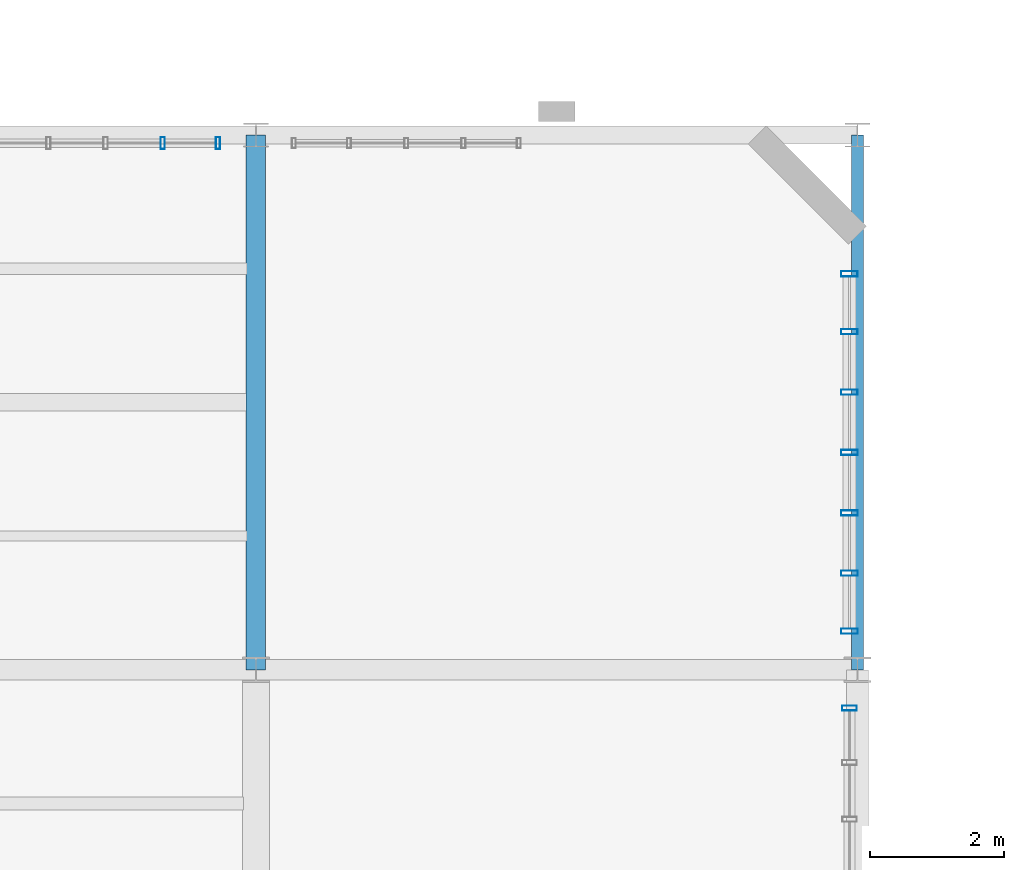
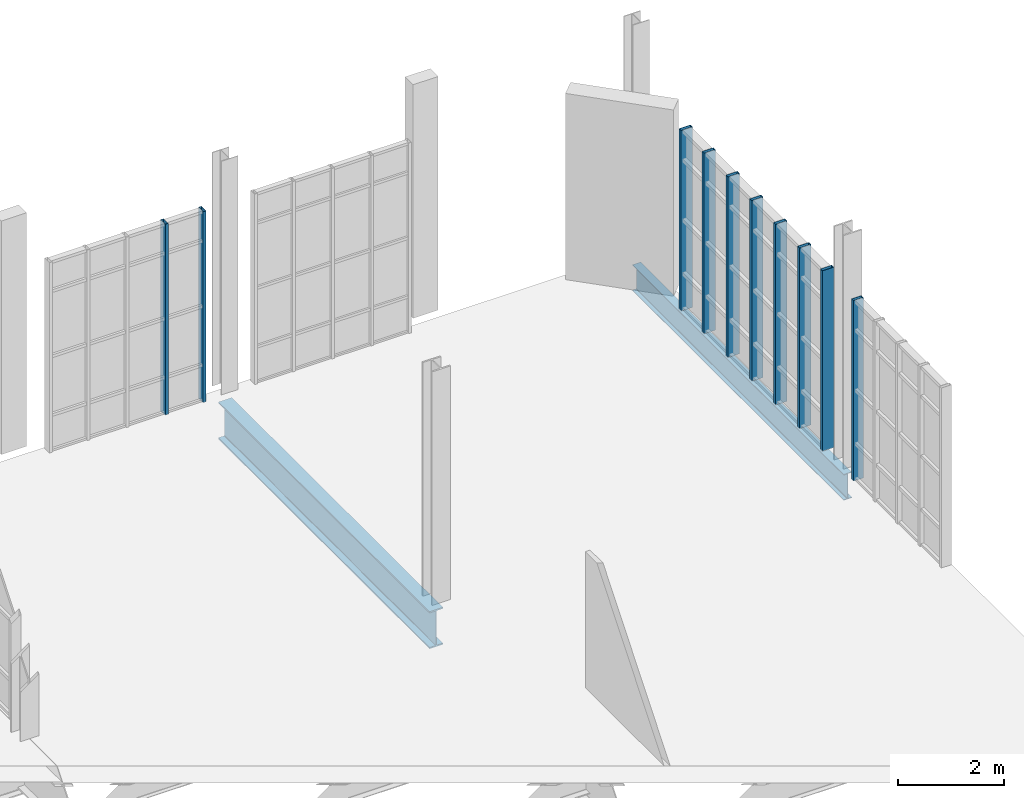
# One storey, part 101 of 189: 10 members, 2 beams, 3 elements without a shape of their own.
"""IFC4 building model written with IfcOpenShell, lengths in metres."""

from ifc_helpers import new_model, si_unit, direction, frame, origin, origin_2d, place, context, subcontext, project, spatial, hollow_rectangle, i_section, extrude, material, layer, layer_set, material_profile, profile_set, type_object, element, aggregate, save


model = new_model("IFC4")

# Units and contexts
model_context = context("Model", 3, precision=1e-05, world=origin(), true_north=direction((0.0, 1.0)))
body_context = subcontext(model_context, "Body", "Model", "MODEL_VIEW")
ifc_project = project(units=[si_unit("LENGTHUNIT", "METRE"), si_unit("AREAUNIT", "SQUARE_METRE"), si_unit("VOLUMEUNIT", "CUBIC_METRE"), si_unit("PLANEANGLEUNIT", "RADIAN"), si_unit("MASSUNIT", "GRAM", prefix="KILO"), si_unit("THERMODYNAMICTEMPERATUREUNIT", "KELVIN"), si_unit("POWERUNIT", "WATT")], contexts=[model_context])

# Site, building, storey
site_placement = place(None, origin())
site = spatial("IfcSite", under=ifc_project, at=site_placement, CompositionType="ELEMENT")
building_placement = place(site_placement, origin())
building = spatial("IfcBuilding", under=site, at=building_placement, Name="Zelmaris Science Centre", CompositionType="ELEMENT")
storey_placement = place(building_placement, origin())
storey = spatial("IfcBuildingStorey", under=building, at=storey_placement, Name="L00", CompositionType="ELEMENT", Elevation=0.0)

# Curtain wall, members
ifc_material_1 = material(Name="Anodised architectural aluminium 6063-T6", Category="aluminium")
ifc_layer_1 = layer(ifc_material_1, 0.2099609375, Name="Anodised architectural aluminium 6063-T6")
ifc_layer_set_1 = layer_set([ifc_layer_1], Name="Anodised architectural aluminium 6063-T6")
curtain_wall_type_1 = type_object("IfcCurtainWallType", Name="Curtain Wall CW-03", PredefinedType="USERDEFINED", material=ifc_layer_set_1)
curtain_wall_1_placement = place(storey_placement, origin())
curtain_wall_1 = element("IfcCurtainWall", 1, at=curtain_wall_1_placement, inside=storey, type_object=curtain_wall_type_1, Name="L00 Unitised curtain wall 83", ObjectType="GLAZED CURTAIN WALL", PredefinedType="USERDEFINED")
ifc_material_profile_1 = material_profile(ifc_material_1, hollow_rectangle(XDim=0.06494140625, YDim=0.179931640625, WallThickness=0.00390625, at=origin_2d()), Name="ALU-MUL-65X180")
ifc_profile_set_1 = profile_set([ifc_material_profile_1], Name="Anodised architectural aluminium 6063-T6")
member_type_1 = type_object("IfcMemberType", Name="ALU-MUL-65X180", PredefinedType="MULLION", material=ifc_profile_set_1)
member_1_placement = place(storey_placement, frame((97.60498046875, 87.8798828125, -0.014892578125), z_axis=(0.0, 0.0, 1.0), x_axis=(1.0, 0.0, 0.0)))
member_1 = element("IfcMember", 2, at=member_1_placement, type_object=member_type_1, Name="CW-03 mullion 4", PredefinedType="MULLION", context=body_context, shape_type="SweptSolid", body=[
    extrude(hollow_rectangle(XDim=0.06494140625, YDim=0.179931640625, WallThickness=0.00390625, at=origin_2d()), origin(), (0.0, 0.0, 1.0), 4.4169921875),
])
member_2_placement = place(storey_placement, frame((98.431396484375, 87.8798828125, -0.014892578125), z_axis=(0.0, 0.0, 1.0), x_axis=(1.0, 0.0, 0.0)))
member_2 = element("IfcMember", 3, at=member_2_placement, type_object=member_type_1, Name="CW-03 mullion 5", PredefinedType="MULLION", context=body_context, shape_type="SweptSolid", body=[
    extrude(hollow_rectangle(XDim=0.06494140625, YDim=0.179931640625, WallThickness=0.00390625, at=origin_2d()), origin(), (0.0, 0.0, 1.0), 4.4169921875),
])
aggregate(curtain_wall_1, [member_1, member_2])

# Curtain wall, member
ifc_layer_2 = layer(ifc_material_1, 0.199951171875, Name="Anodised architectural aluminium 6063-T6")
ifc_layer_set_2 = layer_set([ifc_layer_2], Name="Anodised architectural aluminium 6063-T6")
curtain_wall_type_2 = type_object("IfcCurtainWallType", Name="Curtain Wall CW-02", PredefinedType="USERDEFINED", material=ifc_layer_set_2)
curtain_wall_2_placement = place(storey_placement, origin())
curtain_wall_2 = element("IfcCurtainWall", 4, at=curtain_wall_2_placement, inside=storey, type_object=curtain_wall_type_2, Name="L00 Unitised curtain wall 86", ObjectType="GLAZED CURTAIN WALL", PredefinedType="USERDEFINED")
ifc_material_profile_2 = material_profile(ifc_material_1, hollow_rectangle(XDim=0.074951171875, YDim=0.219970703125, WallThickness=0.0048828125, at=origin_2d()), Name="ALU-MUL-75X220")
ifc_profile_set_2 = profile_set([ifc_material_profile_2], Name="Anodised architectural aluminium 6063-T6")
member_type_2 = type_object("IfcMemberType", Name="ALU-MUL-75X220", PredefinedType="MULLION", material=ifc_profile_set_2)
member_3_placement = place(storey_placement, frame((107.880859375, 79.426513671875, -0.014892578125), z_axis=(0.0, 0.0, 1.0), x_axis=(0.000129154364, -0.99999999166, 0.0)))
member_3 = element("IfcMember", 5, at=member_3_placement, type_object=member_type_2, Name="CW-02 mullion 1", PredefinedType="MULLION", context=body_context, shape_type="SweptSolid", body=[
    extrude(hollow_rectangle(XDim=0.074951171875, YDim=0.219970703125, WallThickness=0.0048828125, at=origin_2d()), origin(), (0.0, 0.0, 1.0), 4.1728515625),
])
aggregate(curtain_wall_2, [member_3])

# Curtain wall, members
ifc_layer_3 = layer(ifc_material_1, 0.18994140625, Name="Anodised architectural aluminium 6063-T6")
ifc_layer_set_3 = layer_set([ifc_layer_3], Name="Anodised architectural aluminium 6063-T6")
curtain_wall_type_3 = type_object("IfcCurtainWallType", Name="Curtain Wall CW-01", PredefinedType="USERDEFINED", material=ifc_layer_set_3)
curtain_wall_3_placement = place(storey_placement, origin())
curtain_wall_3 = element("IfcCurtainWall", 6, at=curtain_wall_3_placement, inside=storey, type_object=curtain_wall_type_3, Name="L00 Unitised curtain wall 85", ObjectType="GLAZED CURTAIN WALL", PredefinedType="USERDEFINED")
ifc_material_profile_3 = material_profile(ifc_material_1, hollow_rectangle(XDim=0.080078125, YDim=0.25, WallThickness=0.0048828125, at=origin_2d()), Name="ALU-MUL-80X250")
ifc_profile_set_3 = profile_set([ifc_material_profile_3], Name="Anodised architectural aluminium 6063-T6")
member_type_3 = type_object("IfcMemberType", Name="ALU-MUL-80X250", PredefinedType="MULLION", material=ifc_profile_set_3)
member_4_placement = place(storey_placement, frame((107.8798828125, 85.924072265625, -0.014892578125), z_axis=(0.0, 0.0, 1.0), x_axis=(0.000129154364, -0.99999999166, 0.0)))
member_4 = element("IfcMember", 7, at=member_4_placement, type_object=member_type_3, Name="CW-01 mullion 1", PredefinedType="MULLION", context=body_context, shape_type="SweptSolid", body=[
    extrude(hollow_rectangle(XDim=0.080078125, YDim=0.25, WallThickness=0.0048828125, at=origin_2d()), origin(), (0.0, 0.0, 1.0), 4.1728515625),
])
member_5_placement = place(storey_placement, frame((107.880126953125, 85.056640625, -0.014892578125), z_axis=(0.0, 0.0, 1.0), x_axis=(0.000129154364, -0.99999999166, 0.0)))
member_5 = element("IfcMember", 8, at=member_5_placement, type_object=member_type_3, Name="CW-01 mullion 2", PredefinedType="MULLION", context=body_context, shape_type="SweptSolid", body=[
    extrude(hollow_rectangle(XDim=0.080078125, YDim=0.25, WallThickness=0.0048828125, at=origin_2d()), origin(), (0.0, 0.0, 1.0), 4.1728515625),
])
member_6_placement = place(storey_placement, frame((107.880126953125, 84.1533203125, -0.014892578125), z_axis=(0.0, 0.0, 1.0), x_axis=(0.000129154364, -0.99999999166, 0.0)))
member_6 = element("IfcMember", 9, at=member_6_placement, type_object=member_type_3, Name="CW-01 mullion 3", PredefinedType="MULLION", context=body_context, shape_type="SweptSolid", body=[
    extrude(hollow_rectangle(XDim=0.080078125, YDim=0.25, WallThickness=0.0048828125, at=origin_2d()), origin(), (0.0, 0.0, 1.0), 4.1728515625),
])
member_7_placement = place(storey_placement, frame((107.88037109375, 83.25, -0.014892578125), z_axis=(0.0, 0.0, 1.0), x_axis=(0.000129154364, -0.99999999166, 0.0)))
member_7 = element("IfcMember", 10, at=member_7_placement, type_object=member_type_3, Name="CW-01 mullion 4", PredefinedType="MULLION", context=body_context, shape_type="SweptSolid", body=[
    extrude(hollow_rectangle(XDim=0.080078125, YDim=0.25, WallThickness=0.0048828125, at=origin_2d()), origin(), (0.0, 0.0, 1.0), 4.1728515625),
])
member_8_placement = place(storey_placement, frame((107.88037109375, 82.3466796875, -0.014892578125), z_axis=(0.0, 0.0, 1.0), x_axis=(0.000129154364, -0.99999999166, 0.0)))
member_8 = element("IfcMember", 11, at=member_8_placement, type_object=member_type_3, Name="CW-01 mullion 5", PredefinedType="MULLION", context=body_context, shape_type="SweptSolid", body=[
    extrude(hollow_rectangle(XDim=0.080078125, YDim=0.25, WallThickness=0.0048828125, at=origin_2d()), origin(), (0.0, 0.0, 1.0), 4.1728515625),
])
member_9_placement = place(storey_placement, frame((107.880615234375, 81.443359375, -0.014892578125), z_axis=(0.0, 0.0, 1.0), x_axis=(0.000129154364, -0.99999999166, 0.0)))
member_9 = element("IfcMember", 12, at=member_9_placement, type_object=member_type_3, Name="CW-01 mullion 6", PredefinedType="MULLION", context=body_context, shape_type="SweptSolid", body=[
    extrude(hollow_rectangle(XDim=0.080078125, YDim=0.25, WallThickness=0.0048828125, at=origin_2d()), origin(), (0.0, 0.0, 1.0), 4.1728515625),
])
member_10_placement = place(storey_placement, frame((107.880615234375, 80.575927734375, -0.014892578125), z_axis=(0.0, 0.0, 1.0), x_axis=(0.000129154364, -0.99999999166, 0.0)))
member_10 = element("IfcMember", 13, at=member_10_placement, type_object=member_type_3, Name="CW-01 mullion 7", PredefinedType="MULLION", context=body_context, shape_type="SweptSolid", body=[
    extrude(hollow_rectangle(XDim=0.080078125, YDim=0.25, WallThickness=0.0048828125, at=origin_2d()), origin(), (0.0, 0.0, 1.0), 4.1728515625),
])
aggregate(curtain_wall_3, [member_4, member_5, member_6, member_7, member_8, member_9, member_10])

# Beams
ifc_material_2 = material(Name="Steel ASTM A992 Grade 50", Category="steel")
ifc_material_profile_4 = material_profile(ifc_material_2, i_section(OverallWidth=0.2919921875, OverallDepth=0.85888671875, WebThickness=0.01708984375, FlangeThickness=0.031005859375, FilletRadius=0.02001953125, at=origin_2d()), Name="W33X169")
ifc_profile_set_4 = profile_set([ifc_material_profile_4], Name="Steel ASTM A992 Grade 50")
beam_type_1 = type_object("IfcBeamType", Name="Beam G-29 W33X169", PredefinedType="BEAM", material=ifc_profile_set_4)
beam_1_placement = place(storey_placement, frame((99.0, 80.0, -0.70947265625), z_axis=(0.0, 1.0, 0.0), x_axis=(-1.0, 0.0, 0.0)))
element("IfcBeam", 14, at=beam_1_placement, inside=storey, type_object=beam_type_1, Name="L00 North-south girder 49", PredefinedType="BEAM", context=body_context, shape_type="SweptSolid", body=[
    extrude(i_section(OverallWidth=0.2919921875, OverallDepth=0.85888671875, WebThickness=0.01708984375, FlangeThickness=0.031005859375, FilletRadius=0.02001953125, at=origin_2d()), origin(), (0.0, 0.0, 1.0), 8.0),
])
ifc_material_profile_5 = material_profile(ifc_material_2, i_section(OverallWidth=0.177978515625, OverallDepth=0.59912109375, WebThickness=0.010009765625, FlangeThickness=0.0126953125, FilletRadius=0.014892578125, at=origin_2d()), Name="W24X55")
ifc_profile_set_5 = profile_set([ifc_material_profile_5], Name="Steel ASTM A992 Grade 50")
beam_type_2 = type_object("IfcBeamType", Name="Beam G-38 W24X55", PredefinedType="BEAM", material=ifc_profile_set_5)
beam_2_placement = place(storey_placement, frame((108.0, 80.0, -0.57958984375), z_axis=(0.0, 1.0, 0.0), x_axis=(-1.0, 0.0, 0.0)))
element("IfcBeam", 15, at=beam_2_placement, inside=storey, type_object=beam_type_2, Name="L00 North-south girder 58", PredefinedType="BEAM", context=body_context, shape_type="SweptSolid", body=[
    extrude(i_section(OverallWidth=0.177978515625, OverallDepth=0.59912109375, WebThickness=0.010009765625, FlangeThickness=0.0126953125, FilletRadius=0.014892578125, at=origin_2d()), origin(), (0.0, 0.0, 1.0), 8.0),
])

save(model, "model.ifc")
